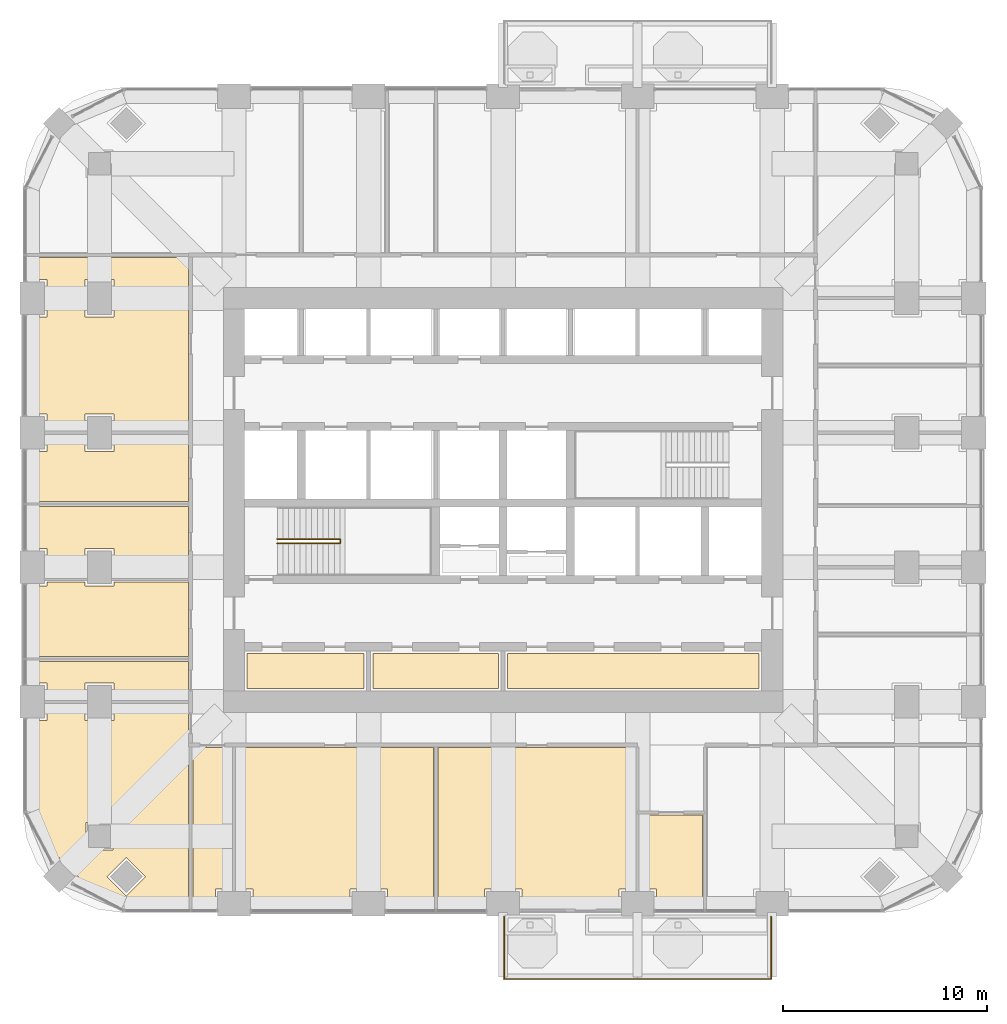
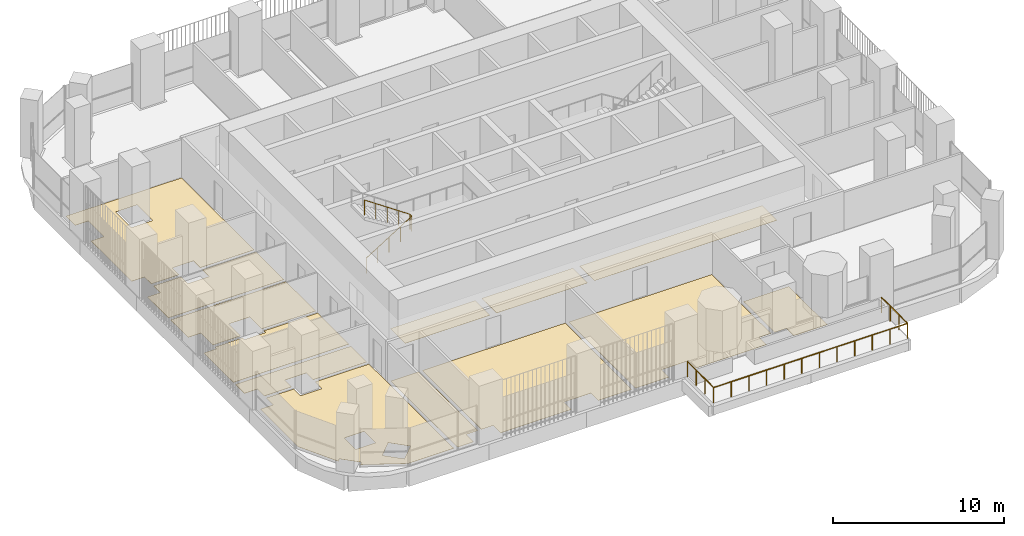
# One storey, part 17 of 20: 13 coverings, 2 railings.
"""IFC4 building model written with IfcOpenShell, lengths in metres."""

import ifcopenshell
import ifcopenshell.guid

model = None  # the IFC model being written
_history = None  # IfcOwnerHistory: only IFC2X3 demands one
_inside = {}  # id of a spatial element -> (the spatial element, [elements in it])
_under = {}  # id of a project, library or spatial element -> (it, [spatial elements below it])
_declared = {}  # id of a project -> (the project, [libraries it declares])
_typed = {}  # id of a type object -> (the type object, [elements of that type])
_made_of = {}  # id of a material, layer set ... -> (it, [elements and type objects made of it])


def new_model(schema):
    """Start an empty IFC model of exactly this schema.

    Asked for "IFC4X3", IfcOpenShell would pick the latest addendum, in which some entities
    have other attributes; the version numbers below select the first issue.
    IFC2X3 requires an IfcOwnerHistory on every rooted entity: one is made here for all.
    """
    global model, _history
    if schema == "IFC4X3":
        model = ifcopenshell.file(schema_version=(4, 3, 0, 0))
    else:
        model = ifcopenshell.file(schema=schema)
    _inside.clear()
    _under.clear()
    _declared.clear()
    _typed.clear()
    _made_of.clear()
    _history = None
    if model.schema == "IFC2X3":
        org = make("IfcOrganization", Name="unknown")
        user = make(
            "IfcPersonAndOrganization",
            ThePerson=make("IfcPerson", FamilyName="unknown"),
            TheOrganization=org,
        )
        app = make(
            "IfcApplication",
            ApplicationDeveloper=org,
            Version="unknown",
            ApplicationFullName="unknown",
            ApplicationIdentifier="unknown",
        )
        _history = make(
            "IfcOwnerHistory",
            OwningUser=user,
            OwningApplication=app,
            ChangeAction="ADDED",
            CreationDate=0,
        )
    return model


def make(cls, **values):
    """One entity of the class cls with the attributes given. An attribute that is None is left unset."""
    return model.create_entity(
        cls, **{name: value for name, value in values.items() if value is not None}
    )


def rooted(cls, **values):
    """An entity with a GlobalId (a new one), such as an element, a storey or a relation."""
    return make(cls, GlobalId=ifcopenshell.guid.new(), OwnerHistory=_history, **values)


def si_unit(unit_type, name, prefix=None):
    """IfcSIUnit, for example si_unit("LENGTHUNIT", "METRE", prefix="MILLI")."""
    return make("IfcSIUnit", UnitType=unit_type, Prefix=prefix, Name=name)


def assignment(units):
    """IfcUnitAssignment: the units of a project."""
    return None if units is None else make("IfcUnitAssignment", Units=units)


def point(xyz):
    """IfcCartesianPoint."""
    return None if xyz is None else make("IfcCartesianPoint", Coordinates=xyz)


def direction(xyz):
    """IfcDirection."""
    return None if xyz is None else make("IfcDirection", DirectionRatios=xyz)


def frame(location, z_axis=None, x_axis=None):
    """IfcAxis2Placement3D, a coordinate frame: its origin and axes. An axis left out is left unset."""
    return make(
        "IfcAxis2Placement3D",
        Location=point(location),
        Axis=direction(z_axis),
        RefDirection=direction(x_axis),
    )


def origin():
    """The frame at (0, 0, 0) with its axes left unset."""
    return frame((0.0, 0.0, 0.0))


def place(relative_to, where):
    """IfcLocalPlacement: puts the frame where relative to a parent placement (None: the world)."""
    return make(
        "IfcLocalPlacement", PlacementRelTo=relative_to, RelativePlacement=where
    )


def context(
    kind, dimensions, precision=None, world=None, true_north=None, identifier=None
):
    """IfcGeometricRepresentationContext, for example the 3D "Model" context."""
    return make(
        "IfcGeometricRepresentationContext",
        ContextIdentifier=identifier,
        ContextType=kind,
        CoordinateSpaceDimension=dimensions,
        Precision=precision,
        WorldCoordinateSystem=world,
        TrueNorth=true_north,
    )


def subcontext(parent, identifier, kind, view, scale=None):
    """IfcGeometricRepresentationSubContext, for example "Body" below "Model"."""
    return make(
        "IfcGeometricRepresentationSubContext",
        ContextIdentifier=identifier,
        ContextType=kind,
        ParentContext=parent,
        TargetScale=scale,
        TargetView=view,
    )


def project(units=None, contexts=None):
    """IfcProject with its units and contexts."""
    return rooted(
        "IfcProject",
        Name="project",
        RepresentationContexts=contexts,
        UnitsInContext=assignment(units),
    )


def spatial(cls, under=None, at=None, **own):
    """A site, building, storey or space (cls), placed at a placement, below another one or the project."""
    s = rooted(cls, ObjectPlacement=at, **own)
    if under is not None:
        _under.setdefault(under.id(), (under, []))[1].append(s)
    return s


def polyline(points):
    """IfcPolyline through the points."""
    return make("IfcPolyline", Points=[point(p) for p in points])


def outline(outer, holes=None, kind="AREA"):
    """IfcArbitraryClosedProfileDef: a profile drawn as a closed curve; with holes, ...WithVoids."""
    if holes is None:
        return make("IfcArbitraryClosedProfileDef", ProfileType=kind, OuterCurve=outer)
    return make(
        "IfcArbitraryProfileDefWithVoids",
        ProfileType=kind,
        OuterCurve=outer,
        InnerCurves=holes,
    )


def extrude(swept, where, along, depth):
    """IfcExtrudedAreaSolid: the profile swept, set in the frame where, extruded along a direction by depth."""
    return make(
        "IfcExtrudedAreaSolid",
        SweptArea=swept,
        Position=where,
        ExtrudedDirection=direction(along),
        Depth=depth,
    )


def shape(context_of_items, identifier, shape_type, items):
    """IfcShapeRepresentation: the items that make up one representation, for example the "Body"."""
    return make(
        "IfcShapeRepresentation",
        ContextOfItems=context_of_items,
        RepresentationIdentifier=identifier,
        RepresentationType=shape_type,
        Items=items,
    )


def material(Name=None, Category=None):
    """IfcMaterial."""
    return make("IfcMaterial", Name=Name, Category=Category)


def layer(
    of_material, thickness, ventilated=None, Name=None, Category=None, Priority=None
):
    """IfcMaterialLayer: one layer of a wall or slab, of a material (None: an air gap)."""
    return make(
        "IfcMaterialLayer",
        Material=of_material,
        LayerThickness=thickness,
        IsVentilated=ventilated,
        Name=Name,
        Category=Category,
        Priority=Priority,
    )


def layer_set(layers, Name=None):
    """IfcMaterialLayerSet."""
    return make("IfcMaterialLayerSet", MaterialLayers=layers, LayerSetName=Name)


def made_of(thing, what):
    """Note that an element or type object is made of a material, layer set ...; save() writes the relation."""
    if what is not None:
        _made_of.setdefault(what.id(), (what, []))[1].append(thing)
    return thing


def type_object(cls, material=None, **own):
    """A type object (cls), such as IfcWallType, which elements share."""
    return made_of(rooted(cls, **own), material)


def element(
    cls,
    number,
    at=None,
    inside=None,
    cuts=None,
    type_object=None,
    material=None,
    context=None,
    identifier="Body",
    shape_type=None,
    held_by="IfcProductDefinitionShape",
    body=None,
    shapes=None,
    **own,
):
    """One element of the class cls, such as IfcWall. Its Tag is "e" and its number.

    at: its placement. inside: the storey or other place that contains it. cuts: it is an
    opening in that element (IfcRelVoidsElement). A single representation is given by context,
    identifier, shape_type and body (its items); several are given by shapes. held_by: the class
    of the entity that holds the representations. save() writes the other relations.
    """
    e = rooted(cls, Tag="e%d" % number, ObjectPlacement=at, **own)
    if body is not None:
        shapes = [shape(context, identifier, shape_type, body)]
    if shapes is not None:
        e.Representation = make(held_by, Representations=shapes)
    if inside is not None:
        _inside.setdefault(inside.id(), (inside, []))[1].append(e)
    if cuts is not None:
        rooted(
            "IfcRelVoidsElement", RelatingBuildingElement=cuts, RelatedOpeningElement=e
        )
    if type_object is not None:
        _typed.setdefault(type_object.id(), (type_object, []))[1].append(e)
    return made_of(e, material)


def aggregate(whole, parts):
    """IfcRelAggregates: a whole, such as a stair, and the parts it consists of."""
    return rooted("IfcRelAggregates", RelatingObject=whole, RelatedObjects=parts)


def save(model, path):
    """Write the relations noted so far, then the file.

    IfcRelAggregates (storeys below a building ...), IfcRelContainedInSpatialStructure (elements
    in a storey), IfcRelDefinesByType, IfcRelAssociatesMaterial and IfcRelDeclares: one each for
    every whole, place, type object, material and project.
    """
    for whole, parts in _under.values():
        aggregate(whole, parts)
    for where, things in _inside.values():
        rooted(
            "IfcRelContainedInSpatialStructure",
            RelatedElements=things,
            RelatingStructure=where,
        )
    for kind, things in _typed.values():
        rooted("IfcRelDefinesByType", RelatedObjects=things, RelatingType=kind)
    for what, things in _made_of.values():
        rooted("IfcRelAssociatesMaterial", RelatedObjects=things, RelatingMaterial=what)
    for by, libraries in _declared.values():
        rooted("IfcRelDeclares", RelatingContext=by, RelatedDefinitions=libraries)
    model.write(path)


model = new_model("IFC4")

# Units and contexts
model_context = context("Model", 3, precision=1e-05, world=origin(), true_north=direction((0.0, 1.0)))
body_context = subcontext(model_context, "Body", "Model", "MODEL_VIEW")
ifc_project = project(units=[si_unit("LENGTHUNIT", "METRE"), si_unit("AREAUNIT", "SQUARE_METRE"), si_unit("VOLUMEUNIT", "CUBIC_METRE"), si_unit("PLANEANGLEUNIT", "RADIAN"), si_unit("MASSUNIT", "GRAM", prefix="KILO")], contexts=[model_context])

# Site, building, storey
site_placement = place(None, origin())
site = spatial("IfcSite", under=ifc_project, at=site_placement, CompositionType="ELEMENT")
building_placement = place(site_placement, origin())
building = spatial("IfcBuilding", under=site, at=building_placement, Name="Cobogo Forest Laboratory Tower", CompositionType="ELEMENT")
storey_placement = place(building_placement, frame((0.0, 0.0, 180.89990234375)))
storey = spatial("IfcBuildingStorey", under=building, at=storey_placement, Name="L41", CompositionType="ELEMENT", Elevation=180.89990234375)

# Railing
ifc_material_1 = material(Name="Laminated glass balustrade", Category="glass")
railing_type_1 = type_object("IfcRailingType", Name="BG1 glass balustrade 1100", PredefinedType="GUARDRAIL", material=ifc_material_1)
railing_1_placement = place(storey_placement, frame((26.449951171875, 2.64990234375, 0.0)))
element("IfcRailing", 1, at=railing_1_placement, inside=storey, type_object=railing_type_1, Name="Balcony balustrade BAL-S1 L41", PredefinedType="GUARDRAIL", context=body_context, shape_type="SweptSolid", body=[
    extrude(outline(polyline([(0.022216796875, 0.00927734375), (0.00927734375, 0.022216796875), (-0.00927734375, 0.022216796875), (-0.022216796875, 0.00927734375), (-0.022216796875, -0.00927734375), (-0.00927734375, -0.022216796875), (0.00927734375, -0.022216796875), (0.022216796875, -0.00927734375), (0.022216796875, 0.00927734375)])), frame((0.0, 0.0, 1.077880859375), z_axis=(0.0, -1.0, 0.0), x_axis=(1.0, 0.0, 0.0)), (0.0, 0.0, 1.0), 3.0498046875),
    extrude(outline(polyline([(0.022216796875, 0.00927734375), (0.00927734375, 0.022216796875), (-0.00927734375, 0.022216796875), (-0.022216796875, 0.00927734375), (-0.022216796875, -0.00927734375), (-0.00927734375, -0.022216796875), (0.00927734375, -0.022216796875), (0.022216796875, -0.00927734375), (0.022216796875, 0.00927734375)])), frame((0.0, -3.0498046875, 1.077880859375), z_axis=(1.0, 0.0, 0.0), x_axis=(0.0, 1.0, 0.0)), (0.0, 0.0, 1.0), 13.10009765625),
    extrude(outline(polyline([(0.022216796875, 0.00927734375), (0.00927734375, 0.022216796875), (-0.00927734375, 0.022216796875), (-0.022216796875, 0.00927734375), (-0.022216796875, -0.00927734375), (-0.00927734375, -0.022216796875), (0.00927734375, -0.022216796875), (0.022216796875, -0.00927734375), (0.022216796875, 0.00927734375)])), frame((13.10009765625, -3.0498046875, 1.077880859375), z_axis=(0.0, 1.0, 0.0), x_axis=(-1.0, 0.0, 0.0)), (0.0, 0.0, 1.0), 3.0498046875),
    extrude(outline(polyline([(0.019287109375, 0.008056640625), (0.008056640625, 0.019287109375), (-0.008056640625, 0.019287109375), (-0.019287109375, 0.008056640625), (-0.019287109375, -0.008056640625), (-0.008056640625, -0.019287109375), (0.008056640625, -0.019287109375), (0.019287109375, -0.008056640625), (0.019287109375, 0.008056640625)])), origin(), (0.0, 0.0, 1.0), 1.077880859375),
    extrude(outline(polyline([(0.019287109375, 0.008056640625), (0.008056640625, 0.019287109375), (-0.008056640625, 0.019287109375), (-0.019287109375, 0.008056640625), (-0.019287109375, -0.008056640625), (-0.008056640625, -0.019287109375), (0.008056640625, -0.019287109375), (0.019287109375, -0.008056640625), (0.019287109375, 0.008056640625)])), frame((0.0, -1.0166015625, 0.0)), (0.0, 0.0, 1.0), 1.077880859375),
    extrude(outline(polyline([(0.019287109375, 0.008056640625), (0.008056640625, 0.019287109375), (-0.008056640625, 0.019287109375), (-0.019287109375, 0.008056640625), (-0.019287109375, -0.008056640625), (-0.008056640625, -0.019287109375), (0.008056640625, -0.019287109375), (0.019287109375, -0.008056640625), (0.019287109375, 0.008056640625)])), frame((0.0, -2.033203125, 0.0)), (0.0, 0.0, 1.0), 1.077880859375),
    extrude(outline(polyline([(0.019287109375, 0.008056640625), (0.008056640625, 0.019287109375), (-0.008056640625, 0.019287109375), (-0.019287109375, 0.008056640625), (-0.019287109375, -0.008056640625), (-0.008056640625, -0.019287109375), (0.008056640625, -0.019287109375), (0.019287109375, -0.008056640625), (0.019287109375, 0.008056640625)])), frame((0.0, -3.0498046875, 0.0)), (0.0, 0.0, 1.0), 1.077880859375),
    extrude(outline(polyline([(0.019287109375, 0.008056640625), (0.008056640625, 0.019287109375), (-0.008056640625, 0.019287109375), (-0.019287109375, 0.008056640625), (-0.019287109375, -0.008056640625), (-0.008056640625, -0.019287109375), (0.008056640625, -0.019287109375), (0.019287109375, -0.008056640625), (0.019287109375, 0.008056640625)])), frame((1.19091796875, -3.0498046875, 0.0)), (0.0, 0.0, 1.0), 1.077880859375),
    extrude(outline(polyline([(0.019287109375, 0.008056640625), (0.008056640625, 0.019287109375), (-0.008056640625, 0.019287109375), (-0.019287109375, 0.008056640625), (-0.019287109375, -0.008056640625), (-0.008056640625, -0.019287109375), (0.008056640625, -0.019287109375), (0.019287109375, -0.008056640625), (0.019287109375, 0.008056640625)])), frame((2.3818359375, -3.0498046875, 0.0)), (0.0, 0.0, 1.0), 1.077880859375),
    extrude(outline(polyline([(0.019287109375, 0.008056640625), (0.008056640625, 0.019287109375), (-0.008056640625, 0.019287109375), (-0.019287109375, 0.008056640625), (-0.019287109375, -0.008056640625), (-0.008056640625, -0.019287109375), (0.008056640625, -0.019287109375), (0.019287109375, -0.008056640625), (0.019287109375, 0.008056640625)])), frame((3.57275390625, -3.0498046875, 0.0)), (0.0, 0.0, 1.0), 1.077880859375),
    extrude(outline(polyline([(0.019287109375, 0.008056640625), (0.008056640625, 0.019287109375), (-0.008056640625, 0.019287109375), (-0.019287109375, 0.008056640625), (-0.019287109375, -0.008056640625), (-0.008056640625, -0.019287109375), (0.008056640625, -0.019287109375), (0.019287109375, -0.008056640625), (0.019287109375, 0.008056640625)])), frame((4.763671875, -3.0498046875, 0.0)), (0.0, 0.0, 1.0), 1.077880859375),
    extrude(outline(polyline([(0.019287109375, 0.008056640625), (0.008056640625, 0.019287109375), (-0.008056640625, 0.019287109375), (-0.019287109375, 0.008056640625), (-0.019287109375, -0.008056640625), (-0.008056640625, -0.019287109375), (0.008056640625, -0.019287109375), (0.019287109375, -0.008056640625), (0.019287109375, 0.008056640625)])), frame((5.95458984375, -3.0498046875, 0.0)), (0.0, 0.0, 1.0), 1.077880859375),
    extrude(outline(polyline([(0.019287109375, 0.008056640625), (0.008056640625, 0.019287109375), (-0.008056640625, 0.019287109375), (-0.019287109375, 0.008056640625), (-0.019287109375, -0.008056640625), (-0.008056640625, -0.019287109375), (0.008056640625, -0.019287109375), (0.019287109375, -0.008056640625), (0.019287109375, 0.008056640625)])), frame((7.1455078125, -3.0498046875, 0.0)), (0.0, 0.0, 1.0), 1.077880859375),
    extrude(outline(polyline([(0.019287109375, 0.008056640625), (0.008056640625, 0.019287109375), (-0.008056640625, 0.019287109375), (-0.019287109375, 0.008056640625), (-0.019287109375, -0.008056640625), (-0.008056640625, -0.019287109375), (0.008056640625, -0.019287109375), (0.019287109375, -0.008056640625), (0.019287109375, 0.008056640625)])), frame((8.33642578125, -3.0498046875, 0.0)), (0.0, 0.0, 1.0), 1.077880859375),
    extrude(outline(polyline([(0.019287109375, 0.008056640625), (0.008056640625, 0.019287109375), (-0.008056640625, 0.019287109375), (-0.019287109375, 0.008056640625), (-0.019287109375, -0.008056640625), (-0.008056640625, -0.019287109375), (0.008056640625, -0.019287109375), (0.019287109375, -0.008056640625), (0.019287109375, 0.008056640625)])), frame((9.52734375, -3.0498046875, 0.0)), (0.0, 0.0, 1.0), 1.077880859375),
    extrude(outline(polyline([(0.019287109375, 0.008056640625), (0.008056640625, 0.019287109375), (-0.008056640625, 0.019287109375), (-0.019287109375, 0.008056640625), (-0.019287109375, -0.008056640625), (-0.008056640625, -0.019287109375), (0.008056640625, -0.019287109375), (0.019287109375, -0.008056640625), (0.019287109375, 0.008056640625)])), frame((10.71826171875, -3.0498046875, 0.0)), (0.0, 0.0, 1.0), 1.077880859375),
    extrude(outline(polyline([(0.019287109375, 0.008056640625), (0.008056640625, 0.019287109375), (-0.008056640625, 0.019287109375), (-0.019287109375, 0.008056640625), (-0.019287109375, -0.008056640625), (-0.008056640625, -0.019287109375), (0.008056640625, -0.019287109375), (0.019287109375, -0.008056640625), (0.019287109375, 0.008056640625)])), frame((11.9091796875, -3.0498046875, 0.0)), (0.0, 0.0, 1.0), 1.077880859375),
    extrude(outline(polyline([(0.019287109375, 0.008056640625), (0.008056640625, 0.019287109375), (-0.008056640625, 0.019287109375), (-0.019287109375, 0.008056640625), (-0.019287109375, -0.008056640625), (-0.008056640625, -0.019287109375), (0.008056640625, -0.019287109375), (0.019287109375, -0.008056640625), (0.019287109375, 0.008056640625)])), frame((13.10009765625, -3.0498046875, 0.0)), (0.0, 0.0, 1.0), 1.077880859375),
    extrude(outline(polyline([(0.019287109375, 0.008056640625), (0.008056640625, 0.019287109375), (-0.008056640625, 0.019287109375), (-0.019287109375, 0.008056640625), (-0.019287109375, -0.008056640625), (-0.008056640625, -0.019287109375), (0.008056640625, -0.019287109375), (0.019287109375, -0.008056640625), (0.019287109375, 0.008056640625)])), frame((13.10009765625, -2.033203125, 0.0)), (0.0, 0.0, 1.0), 1.077880859375),
    extrude(outline(polyline([(0.019287109375, 0.008056640625), (0.008056640625, 0.019287109375), (-0.008056640625, 0.019287109375), (-0.019287109375, 0.008056640625), (-0.019287109375, -0.008056640625), (-0.008056640625, -0.019287109375), (0.008056640625, -0.019287109375), (0.019287109375, -0.008056640625), (0.019287109375, 0.008056640625)])), frame((13.10009765625, -1.0166015625, 0.0)), (0.0, 0.0, 1.0), 1.077880859375),
    extrude(outline(polyline([(0.019287109375, 0.008056640625), (0.008056640625, 0.019287109375), (-0.008056640625, 0.019287109375), (-0.019287109375, 0.008056640625), (-0.019287109375, -0.008056640625), (-0.008056640625, -0.019287109375), (0.008056640625, -0.019287109375), (0.019287109375, -0.008056640625), (0.019287109375, 0.008056640625)])), frame((13.10009765625, 0.0, 0.0)), (0.0, 0.0, 1.0), 1.077880859375),
])

# Coverings
ifc_material_2 = material(Name="Carpet tile on raised access floor", Category="flooring")
ifc_layer_1 = layer(ifc_material_2, 0.008056640625)
ifc_layer_set_1 = layer_set([ifc_layer_1], Name="CT1 carpet tile floor 8")
covering_type_1 = type_object("IfcCoveringType", Name="CT1 carpet tile floor 8", PredefinedType="FLOORING", material=ifc_layer_set_1)
covering_1_placement = place(storey_placement, origin())
element("IfcCovering", 2, at=covering_1_placement, inside=storey, type_object=covering_type_1, Name="Carpet floor L41-02", PredefinedType="FLOORING", context=body_context, shape_type="SweptSolid", body=[
    extrude(outline(polyline([(22.97998046875, 10.955078125), (22.97998046875, 3.14990234375), (20.719970703125, 3.14990234375), (20.719970703125, 4.02001953125), (18.8798828125, 4.02001953125), (18.8798828125, 3.14990234375), (14.1201171875, 3.14990234375), (14.1201171875, 4.02001953125), (13.320068359375, 4.02001953125), (13.320068359375, 10.955078125), (22.97998046875, 10.955078125)])), origin(), (0.0, 0.0, 1.0), 0.008056640625),
])
covering_2_placement = place(storey_placement, origin())
element("IfcCovering", 3, at=covering_2_placement, inside=storey, type_object=covering_type_1, Name="Carpet floor L41-03", PredefinedType="FLOORING", context=body_context, shape_type="SweptSolid", body=[
    extrude(outline(polyline([(32.8798828125, 10.955078125), (32.8798828125, 4.02001953125), (32.080078125, 4.02001953125), (32.080078125, 3.14990234375), (27.320068359375, 3.14990234375), (27.320068359375, 4.02001953125), (25.47998046875, 4.02001953125), (25.47998046875, 3.14990234375), (23.219970703125, 3.14990234375), (23.219970703125, 10.955078125), (32.8798828125, 10.955078125)])), origin(), (0.0, 0.0, 1.0), 0.008056640625),
])
covering_3_placement = place(storey_placement, origin())
element("IfcCovering", 4, at=covering_3_placement, inside=storey, type_object=covering_type_1, Name="Carpet floor L41-18", PredefinedType="FLOORING", context=body_context, shape_type="SweptSolid", body=[
    extrude(outline(polyline([(10.955078125, 3.14990234375), (7.84912109375, 3.14990234375), (5.387939453125, 4.440185546875), (5.5654296875, 4.617919921875), (4.617919921875, 5.5654296875), (4.440185546875, 5.387939453125), (3.14990234375, 7.84912109375), (3.14990234375, 12.280029296875), (4.02001953125, 12.280029296875), (4.02001953125, 13.080078125), (5.8798828125, 13.080078125), (5.8798828125, 12.280029296875), (7.320068359375, 12.280029296875), (7.320068359375, 13.080078125), (10.955078125, 13.080078125), (10.955078125, 3.14990234375)]), holes=[polyline([(7.91796875, 3.67041015625), (8.865478515625, 4.617919921875), (7.91796875, 5.5654296875), (6.970458984375, 4.617919921875), (7.91796875, 3.67041015625)]), polyline([(5.929931640625, 5.929931640625), (7.27001953125, 5.929931640625), (7.27001953125, 7.27001953125), (5.929931640625, 7.27001953125), (5.929931640625, 5.929931640625)])]), origin(), (0.0, 0.0, 1.0), 0.008056640625),
])
covering_4_placement = place(storey_placement, origin())
element("IfcCovering", 5, at=covering_4_placement, inside=storey, type_object=covering_type_1, Name="Carpet floor L41-23", PredefinedType="FLOORING", context=body_context, shape_type="SweptSolid", body=[
    extrude(outline(polyline([(10.955078125, 26.52001953125), (7.320068359375, 26.52001953125), (7.320068359375, 27.320068359375), (5.8798828125, 27.320068359375), (5.8798828125, 26.52001953125), (4.02001953125, 26.52001953125), (4.02001953125, 27.320068359375), (3.14990234375, 27.320068359375), (3.14990234375, 32.080078125), (4.02001953125, 32.080078125), (4.02001953125, 33.919921875), (3.14990234375, 33.919921875), (3.14990234375, 35.0048828125), (10.955078125, 35.0048828125), (10.955078125, 26.52001953125)]), holes=[polyline([(5.8798828125, 32.080078125), (7.320068359375, 32.080078125), (7.320068359375, 33.919921875), (5.8798828125, 33.919921875), (5.8798828125, 32.080078125)])]), origin(), (0.0, 0.0, 1.0), 0.008056640625),
])
covering_5_placement = place(storey_placement, origin())
element("IfcCovering", 6, at=covering_5_placement, inside=storey, type_object=covering_type_1, Name="Carpet floor L41-34", PredefinedType="FLOORING", context=body_context, shape_type="SweptSolid", body=[
    extrude(outline(polyline([(26.179931640625, 13.844970703125), (20.02001953125, 13.844970703125), (20.02001953125, 15.580078125), (26.179931640625, 15.580078125), (26.179931640625, 13.844970703125)])), origin(), (0.0, 0.0, 1.0), 0.008056640625),
])
covering_6_placement = place(storey_placement, origin())
element("IfcCovering", 7, at=covering_6_placement, inside=storey, type_object=covering_type_1, Name="Carpet floor L41-35", PredefinedType="FLOORING", context=body_context, shape_type="SweptSolid", body=[
    extrude(outline(polyline([(38.955078125, 13.844970703125), (26.6201171875, 13.844970703125), (26.6201171875, 15.580078125), (38.955078125, 15.580078125), (38.955078125, 13.844970703125)])), origin(), (0.0, 0.0, 1.0), 0.008056640625),
])

# Railing
ifc_material_3 = material(Name="Steel balustrade", Category="steel")
railing_type_2 = type_object("IfcRailingType", Name="GR stair guard 1100", PredefinedType="GUARDRAIL", material=ifc_material_3)
railing_2_placement = place(storey_placement, frame((15.324951171875, 20.969970703125, 0.175048828125)))
element("IfcRailing", 8, at=railing_2_placement, inside=storey, type_object=railing_type_2, Name="Stair guard ST1 L41", PredefinedType="GUARDRAIL", context=body_context, shape_type="SweptSolid", body=[
    extrude(outline(polyline([(0.022216796875, 0.00927734375), (0.00927734375, 0.022216796875), (-0.00927734375, 0.022216796875), (-0.022216796875, 0.00927734375), (-0.022216796875, -0.00927734375), (-0.00927734375, -0.022216796875), (0.00927734375, -0.022216796875), (0.022216796875, -0.00927734375), (0.022216796875, 0.00927734375)])), frame((0.0, 0.0, 1.077880859375), z_axis=(0.847998304005, 0.0, 0.529998940003), x_axis=(0.0, 1.0, 0.0)), (0.0, 0.0, 1.0), 3.632080078125),
    extrude(outline(polyline([(0.022216796875, 0.00927734375), (0.00927734375, 0.022216796875), (-0.00927734375, 0.022216796875), (-0.022216796875, 0.00927734375), (-0.022216796875, -0.00927734375), (-0.00927734375, -0.022216796875), (0.00927734375, -0.022216796875), (0.022216796875, -0.00927734375), (0.022216796875, 0.00927734375)])), frame((3.080078125, 0.0, 3.0029296875), z_axis=(0.0, 1.0, 0.0), x_axis=(-1.0, 0.0, 0.0)), (0.0, 0.0, 1.0), 0.2099609375),
    extrude(outline(polyline([(0.022216796875, 0.00927734375), (0.00927734375, 0.022216796875), (-0.00927734375, 0.022216796875), (-0.022216796875, 0.00927734375), (-0.022216796875, -0.00927734375), (-0.00927734375, -0.022216796875), (0.00927734375, -0.022216796875), (0.022216796875, -0.00927734375), (0.022216796875, 0.00927734375)])), frame((3.080078125, 0.2099609375, 3.0029296875), z_axis=(-0.826221800596, 0.0, 0.563344953133), x_axis=(0.0, -1.0, 0.0)), (0.0, 0.0, 1.0), 3.72802734375),
    extrude(outline(polyline([(0.019287109375, 0.008056640625), (0.008056640625, 0.019287109375), (-0.008056640625, 0.019287109375), (-0.019287109375, 0.008056640625), (-0.019287109375, -0.008056640625), (-0.008056640625, -0.019287109375), (0.008056640625, -0.019287109375), (0.019287109375, -0.008056640625), (0.019287109375, 0.008056640625)])), origin(), (0.0, 0.0, 1.0), 1.077880859375),
    extrude(outline(polyline([(0.019287109375, 0.008056640625), (0.008056640625, 0.019287109375), (-0.008056640625, 0.019287109375), (-0.019287109375, 0.008056640625), (-0.019287109375, -0.008056640625), (-0.008056640625, -0.019287109375), (0.008056640625, -0.019287109375), (0.019287109375, -0.008056640625), (0.019287109375, 0.008056640625)])), frame((0.77001953125, 0.0, 0.481201171875)), (0.0, 0.0, 1.0), 1.077880859375),
    extrude(outline(polyline([(0.019287109375, 0.008056640625), (0.008056640625, 0.019287109375), (-0.008056640625, 0.019287109375), (-0.019287109375, 0.008056640625), (-0.019287109375, -0.008056640625), (-0.008056640625, -0.019287109375), (0.008056640625, -0.019287109375), (0.019287109375, -0.008056640625), (0.019287109375, 0.008056640625)])), frame((1.5400390625, 0.0, 0.96240234375)), (0.0, 0.0, 1.0), 1.077880859375),
    extrude(outline(polyline([(0.019287109375, 0.008056640625), (0.008056640625, 0.019287109375), (-0.008056640625, 0.019287109375), (-0.019287109375, 0.008056640625), (-0.019287109375, -0.008056640625), (-0.008056640625, -0.019287109375), (0.008056640625, -0.019287109375), (0.019287109375, -0.008056640625), (0.019287109375, 0.008056640625)])), frame((2.31005859375, 0.0, 1.44384765625)), (0.0, 0.0, 1.0), 1.077880859375),
    extrude(outline(polyline([(0.019287109375, 0.008056640625), (0.008056640625, 0.019287109375), (-0.008056640625, 0.019287109375), (-0.019287109375, 0.008056640625), (-0.019287109375, -0.008056640625), (-0.008056640625, -0.019287109375), (0.008056640625, -0.019287109375), (0.019287109375, -0.008056640625), (0.019287109375, 0.008056640625)])), frame((3.080078125, 0.0, 1.925048828125)), (0.0, 0.0, 1.0), 1.077880859375),
    extrude(outline(polyline([(0.019287109375, 0.008056640625), (0.008056640625, 0.019287109375), (-0.008056640625, 0.019287109375), (-0.019287109375, 0.008056640625), (-0.019287109375, -0.008056640625), (-0.008056640625, -0.019287109375), (0.008056640625, -0.019287109375), (0.019287109375, -0.008056640625), (0.019287109375, 0.008056640625)])), frame((3.080078125, 0.2099609375, 1.925048828125)), (0.0, 0.0, 1.0), 1.077880859375),
    extrude(outline(polyline([(0.019287109375, 0.008056640625), (0.008056640625, 0.019287109375), (-0.008056640625, 0.019287109375), (-0.019287109375, 0.008056640625), (-0.019287109375, -0.008056640625), (-0.008056640625, -0.019287109375), (0.008056640625, -0.019287109375), (0.019287109375, -0.008056640625), (0.019287109375, 0.008056640625)])), frame((2.31005859375, 0.2099609375, 2.4501953125)), (0.0, 0.0, 1.0), 1.077880859375),
    extrude(outline(polyline([(0.019287109375, 0.008056640625), (0.008056640625, 0.019287109375), (-0.008056640625, 0.019287109375), (-0.019287109375, 0.008056640625), (-0.019287109375, -0.008056640625), (-0.008056640625, -0.019287109375), (0.008056640625, -0.019287109375), (0.019287109375, -0.008056640625), (0.019287109375, 0.008056640625)])), frame((1.5400390625, 0.2099609375, 2.97509765625)), (0.0, 0.0, 1.0), 1.077880859375),
    extrude(outline(polyline([(0.019287109375, 0.008056640625), (0.008056640625, 0.019287109375), (-0.008056640625, 0.019287109375), (-0.019287109375, 0.008056640625), (-0.019287109375, -0.008056640625), (-0.008056640625, -0.019287109375), (0.008056640625, -0.019287109375), (0.019287109375, -0.008056640625), (0.019287109375, 0.008056640625)])), frame((0.77001953125, 0.2099609375, 3.5)), (0.0, 0.0, 1.0), 1.077880859375),
    extrude(outline(polyline([(0.019287109375, 0.008056640625), (0.008056640625, 0.019287109375), (-0.008056640625, 0.019287109375), (-0.019287109375, 0.008056640625), (-0.019287109375, -0.008056640625), (-0.008056640625, -0.019287109375), (0.008056640625, -0.019287109375), (0.019287109375, -0.008056640625), (0.019287109375, 0.008056640625)])), frame((0.0, 0.2099609375, 4.025146484375)), (0.0, 0.0, 1.0), 1.077880859375),
])

# Coverings
ifc_material_4 = material(Name="Static-dissipative vinyl flooring", Category="flooring")
ifc_layer_2 = layer(ifc_material_4, 0.0029296875)
ifc_layer_set_2 = layer_set([ifc_layer_2], Name="SD1 static-dissipative vinyl floor 3")
covering_type_2 = type_object("IfcCoveringType", Name="SD1 static-dissipative vinyl floor 3", PredefinedType="FLOORING", material=ifc_layer_set_2)
covering_7_placement = place(storey_placement, origin())
element("IfcCovering", 9, at=covering_7_placement, inside=storey, type_object=covering_type_2, Name="Static-dissipative floor L41-01", PredefinedType="FLOORING", context=body_context, shape_type="SweptSolid", body=[
    extrude(outline(polyline([(13.080078125, 10.955078125), (13.080078125, 4.02001953125), (12.280029296875, 4.02001953125), (12.280029296875, 3.14990234375), (11.195068359375, 3.14990234375), (11.195068359375, 10.955078125), (13.080078125, 10.955078125)])), origin(), (0.0, 0.0, 1.0), 0.003173828125),
])
covering_8_placement = place(storey_placement, origin())
element("IfcCovering", 10, at=covering_8_placement, inside=storey, type_object=covering_type_2, Name="Static-dissipative floor L41-04", PredefinedType="FLOORING", context=body_context, shape_type="SweptSolid", body=[
    extrude(outline(polyline([(36.179931640625, 7.655029296875), (36.179931640625, 3.14990234375), (33.919921875, 3.14990234375), (33.919921875, 4.02001953125), (33.1201171875, 4.02001953125), (33.1201171875, 7.655029296875), (36.179931640625, 7.655029296875)])), origin(), (0.0, 0.0, 1.0), 0.003173828125),
])
ifc_material_5 = material(Name="Ceramic floor tile", Category="flooring")
ifc_layer_3 = layer(ifc_material_5, 0.010009765625)
ifc_layer_set_3 = layer_set([ifc_layer_3], Name="TF1 ceramic tile floor 10")
covering_type_3 = type_object("IfcCoveringType", Name="TF1 ceramic tile floor 10", PredefinedType="FLOORING", material=ifc_layer_set_3)
covering_9_placement = place(storey_placement, origin())
element("IfcCovering", 11, at=covering_9_placement, inside=storey, type_object=covering_type_3, Name="Tile floor L41-19", PredefinedType="FLOORING", context=body_context, shape_type="SweptSolid", body=[
    extrude(outline(polyline([(10.955078125, 13.320068359375), (7.320068359375, 13.320068359375), (7.320068359375, 14.1201171875), (5.8798828125, 14.1201171875), (5.8798828125, 13.320068359375), (4.02001953125, 13.320068359375), (4.02001953125, 14.1201171875), (3.14990234375, 14.1201171875), (3.14990234375, 15.179931640625), (10.955078125, 15.179931640625), (10.955078125, 13.320068359375)])), origin(), (0.0, 0.0, 1.0), 0.010009765625),
])
covering_10_placement = place(storey_placement, origin())
element("IfcCovering", 12, at=covering_10_placement, inside=storey, type_object=covering_type_3, Name="Tile floor L41-20", PredefinedType="FLOORING", context=body_context, shape_type="SweptSolid", body=[
    extrude(outline(polyline([(10.955078125, 15.419921875), (3.14990234375, 15.419921875), (3.14990234375, 18.8798828125), (4.02001953125, 18.8798828125), (4.02001953125, 19.080078125), (5.8798828125, 19.080078125), (5.8798828125, 18.8798828125), (7.320068359375, 18.8798828125), (7.320068359375, 19.080078125), (10.955078125, 19.080078125), (10.955078125, 15.419921875)])), origin(), (0.0, 0.0, 1.0), 0.010009765625),
])
covering_11_placement = place(storey_placement, origin())
element("IfcCovering", 13, at=covering_11_placement, inside=storey, type_object=covering_type_3, Name="Tile floor L41-21", PredefinedType="FLOORING", context=body_context, shape_type="SweptSolid", body=[
    extrude(outline(polyline([(10.955078125, 19.320068359375), (7.320068359375, 19.320068359375), (7.320068359375, 20.719970703125), (5.8798828125, 20.719970703125), (5.8798828125, 19.320068359375), (4.02001953125, 19.320068359375), (4.02001953125, 20.719970703125), (3.14990234375, 20.719970703125), (3.14990234375, 22.780029296875), (10.955078125, 22.780029296875), (10.955078125, 19.320068359375)])), origin(), (0.0, 0.0, 1.0), 0.010009765625),
])
covering_12_placement = place(storey_placement, origin())
element("IfcCovering", 14, at=covering_12_placement, inside=storey, type_object=covering_type_3, Name="Tile floor L41-22", PredefinedType="FLOORING", context=body_context, shape_type="SweptSolid", body=[
    extrude(outline(polyline([(10.955078125, 23.02001953125), (3.14990234375, 23.02001953125), (3.14990234375, 25.47998046875), (4.02001953125, 25.47998046875), (4.02001953125, 26.280029296875), (5.8798828125, 26.280029296875), (5.8798828125, 25.47998046875), (7.320068359375, 25.47998046875), (7.320068359375, 26.280029296875), (10.955078125, 26.280029296875), (10.955078125, 23.02001953125)])), origin(), (0.0, 0.0, 1.0), 0.010009765625),
])
covering_13_placement = place(storey_placement, origin())
element("IfcCovering", 15, at=covering_13_placement, inside=storey, type_object=covering_type_3, Name="Tile floor L41-33", PredefinedType="FLOORING", context=body_context, shape_type="SweptSolid", body=[
    extrude(outline(polyline([(19.580078125, 13.844970703125), (13.844970703125, 13.844970703125), (13.844970703125, 15.580078125), (19.580078125, 15.580078125), (19.580078125, 13.844970703125)])), origin(), (0.0, 0.0, 1.0), 0.010009765625),
])

save(model, "model.ifc")
